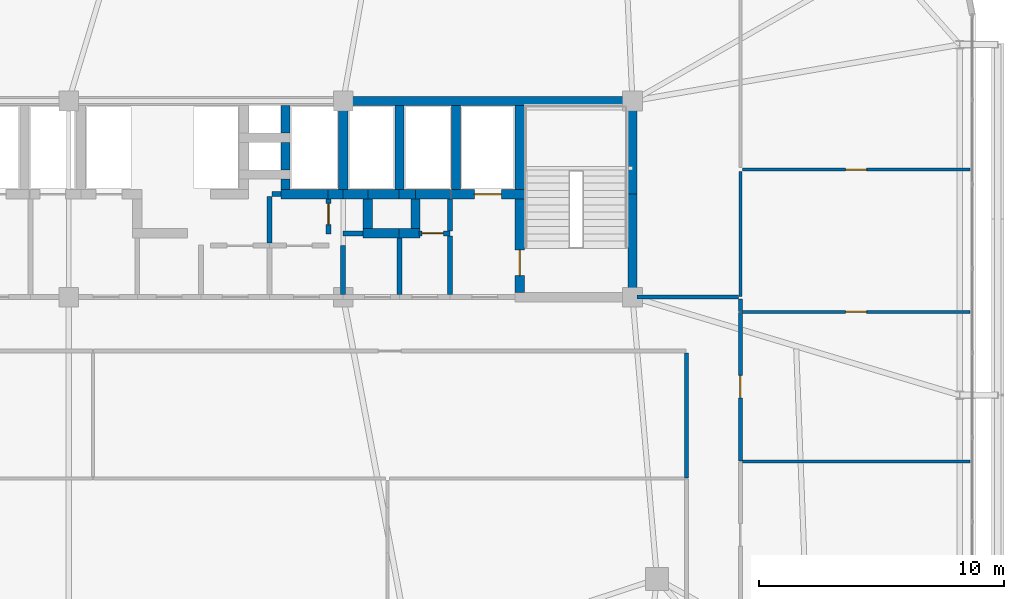
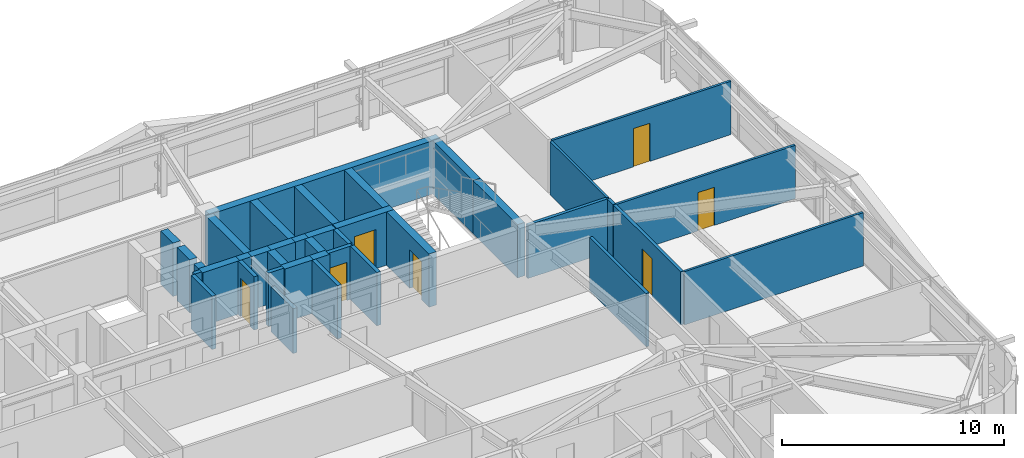
# One storey, part 55 of 59: 39 walls, 7 doors, 7 openings.
"""IFC4 building model written with IfcOpenShell, lengths in metres."""

from ifc_helpers import new_model, si_unit, direction, frame, frame_2d, origin, place, context, subcontext, project, spatial, rectangle, extrude, source, transform, mapped, material, layer, layer_set, type_object, element, fill, save


model = new_model("IFC4")

# Units and contexts
model_context = context("Model", 3, precision=1e-05, world=origin(), true_north=direction((0.0, 1.0)))
body_context = subcontext(model_context, "Body", "Model", "MODEL_VIEW")
ifc_project = project(units=[si_unit("LENGTHUNIT", "METRE"), si_unit("AREAUNIT", "SQUARE_METRE"), si_unit("VOLUMEUNIT", "CUBIC_METRE"), si_unit("PLANEANGLEUNIT", "RADIAN"), si_unit("MASSUNIT", "GRAM", prefix="KILO")], contexts=[model_context])

# Site, building, storey
site_placement = place(None, origin())
site = spatial("IfcSite", under=ifc_project, at=site_placement, CompositionType="ELEMENT")
building_placement = place(site_placement, origin())
building = spatial("IfcBuilding", under=site, at=building_placement, Name="Taldren Reach Tower", CompositionType="ELEMENT")
storey_placement = place(building_placement, frame((0.0, 0.0, 29.39990234375)))
storey = spatial("IfcBuildingStorey", under=building, at=storey_placement, Name="L08", CompositionType="ELEMENT", Elevation=29.39990234375)

# Walls
ifc_material_1 = material(Name="Concrete S80 (80 MPa)", Category="concrete")
ifc_layer_1 = layer(ifc_material_1, 0.3798828125)
ifc_layer_set_1 = layer_set([ifc_layer_1], Name="Concrete S80 (80 MPa)")
wall_type_1 = type_object("IfcWallType", Name="IW-CORE-380", PredefinedType="SHEAR", material=ifc_layer_set_1)
shared_shape_1 = source(origin(), body_context, "Body", "SweptSolid", [
    extrude(rectangle(XDim=11.989990234375, YDim=0.3798828125, at=frame_2d((5.9951171875, 0.0))), origin(), (0.0, 0.0, 1.0), 2.93017578125),
])
wall_1_placement = place(storey_placement, frame((39.199951171875, 32.0, 0.0), z_axis=(0.0, 0.0, 1.0), x_axis=(1.0, 0.0, 0.0)))
element("IfcWall", 1, at=wall_1_placement, inside=storey, type_object=wall_type_1, Name="Rear Core Shear Wall W-CORE-L08-NORTH3", PredefinedType="SHEAR", context=body_context, shape_type="MappedRepresentation", body=[
    mapped(shared_shape_1, transform((0.0, 0.0, 0.0), scale=1.0)),
])
shared_shape_2 = source(origin(), body_context, "Body", "SweptSolid", [
    extrude(rectangle(XDim=4.010009765625, YDim=0.3798828125, at=frame_2d((2.0048828125, 0.0))), origin(), (0.0, 0.0, 1.0), 2.93017578125),
])
wall_2_placement = place(storey_placement, frame((51.0, 24.18994140625, 0.0), z_axis=(0.0, 0.0, 1.0), x_axis=(0.0, 1.0, 0.0)))
element("IfcWall", 2, at=wall_2_placement, inside=storey, type_object=wall_type_1, Name="Rear Core Shear Wall W-CORE-L08-EAST1", PredefinedType="SHEAR", context=body_context, shape_type="MappedRepresentation", body=[
    mapped(shared_shape_2, transform((0.0, 0.0, 0.0), scale=1.0)),
])
shared_shape_3 = source(origin(), body_context, "Body", "SweptSolid", [
    extrude(rectangle(XDim=3.610107421875, YDim=0.3798828125, at=frame_2d((1.80517578125, 0.0))), origin(), (0.0, 0.0, 1.0), 2.93017578125),
])
wall_3_placement = place(storey_placement, frame((51.0, 28.199951171875, 0.0), z_axis=(0.0, 0.0, 1.0), x_axis=(0.0, 1.0, 0.0)))
element("IfcWall", 3, at=wall_3_placement, inside=storey, type_object=wall_type_1, Name="Rear Core Shear Wall W-CORE-L08-EAST2", PredefinedType="SHEAR", context=body_context, shape_type="MappedRepresentation", body=[
    mapped(shared_shape_3, transform((0.0, 0.0, 0.0), scale=1.0)),
])
shared_shape_4 = source(origin(), body_context, "Body", "SweptSolid", [
    extrude(rectangle(XDim=3.420166015625, YDim=0.3798828125, at=frame_2d((1.7099609375, 0.0))), origin(), (0.0, 0.0, 1.0), 2.93017578125),
])
for number, where, z_axis, x_axis, name in (
    (4, (46.39990234375, 31.81005859375, 0.0), (0.0, 0.0, 1.0), (0.0, -1.0, 0.0), "Rear Core Shear Wall W-INT-L08-008"),
    (5, (43.800048828125, 31.81005859375, 0.0), (0.0, 0.0, 1.0), (0.0, -1.0, 0.0), "Rear Core Shear Wall W-INT-L08-012"),
    (6, (39.199951171875, 28.389892578125, 0.0), (0.0, 0.0, 1.0), (0.0, 1.0, 0.0), "Rear Core Shear Wall W-INT-L08-037"),
    (7, (41.5, 28.389892578125, 0.0), (0.0, 0.0, 1.0), (0.0, 1.0, 0.0), "Rear Core Shear Wall W-INT-L08-041"),
):
    element("IfcWall", number, at=place(storey_placement, frame(where, z_axis=z_axis, x_axis=x_axis)), inside=storey, type_object=wall_type_1, Name=name, PredefinedType="SHEAR", context=body_context, shape_type="MappedRepresentation", body=[
        mapped(shared_shape_4, transform((0.0, 0.0, 0.0), scale=1.0)),
    ])

# Wall, opening, door
shared_shape_5 = source(origin(), body_context, "Body", "SweptSolid", [
    extrude(rectangle(XDim=3.820068359375, YDim=0.3798828125, at=frame_2d((1.91015625, 0.0))), origin(), (0.0, 0.0, 1.0), 2.93017578125),
])
wall_4_placement = place(storey_placement, frame((46.39990234375, 28.010009765625, 0.0), z_axis=(0.0, 0.0, 1.0), x_axis=(0.0, -1.0, 0.0)))
wall_4 = element("IfcWall", 8, at=wall_4_placement, inside=storey, type_object=wall_type_1, Name="Rear Core Shear Wall W-INT-L08-009", PredefinedType="SHEAR", context=body_context, shape_type="MappedRepresentation", body=[
    mapped(shared_shape_5, transform((0.0, 0.0, 0.0), scale=1.0)),
])
shared_shape_6 = source(origin(), body_context, "Body", "SweptSolid", [
    extrude(rectangle(XDim=1.050048828125, YDim=2.10009765625, at=frame_2d((0.52490234375, 1.050048828125))), frame((0.0, 0.199951171875, 0.0), z_axis=(0.0, -1.0, 0.0), x_axis=(1.0, 0.0, 0.0)), (0.0, 0.0, 1.0), 0.39990234375),
])
opening_1_placement = place(wall_4_placement, frame((2.0849609375, 0.0, 0.0)))
opening_1 = element("IfcOpeningElement", 9, at=opening_1_placement, cuts=wall_4, Name="Opening DF-105", PredefinedType="OPENING", context=body_context, shape_type="MappedRepresentation", body=[
    mapped(shared_shape_6, transform((0.0, 0.0, 0.0), scale=1.0)),
])
ifc_material_2 = material(Name="Fire-Rated Care and Stair Exit Door")
door_type_1 = type_object("IfcDoorType", Name="ID-FIRE-105", OperationType="NOTDEFINED", PredefinedType="DOOR", material=ifc_material_2)
shared_shape_7 = source(origin(), body_context, "Body", "SweptSolid", [
    extrude(rectangle(XDim=1.050048828125, YDim=2.10009765625, at=frame_2d((0.52490234375, 1.050048828125))), frame((0.0, 0.02490234375, 0.0), z_axis=(0.0, -1.0, 0.0), x_axis=(1.0, 0.0, 0.0)), (0.0, 0.0, 1.0), 0.050048828125),
])
door_1_placement = place(opening_1_placement, origin())
door_1 = element("IfcDoor", 10, at=door_1_placement, inside=storey, type_object=door_type_1, Name="Fire Exit Stair Door DR-L08-003", OperationType="SINGLE_SWING_RIGHT", OverallHeight=2.10009765625, OverallWidth=1.050048828125, PredefinedType="DOOR", context=body_context, shape_type="MappedRepresentation", body=[
    mapped(shared_shape_7, transform((0.0, 0.0, 0.0), scale=1.0)),
])
fill(opening_1, door_1)

shared_shape_8 = source(origin(), body_context, "Body", "SweptSolid", [
    extrude(rectangle(XDim=2.97998046875, YDim=0.3798828125, at=frame_2d((1.489990234375, 0.0))), origin(), (0.0, 0.0, 1.0), 2.93017578125),
])
wall_5_placement = place(storey_placement, frame((43.610107421875, 28.199951171875, 0.0), z_axis=(0.0, 0.0, 1.0), x_axis=(1.0, 0.0, 0.0)))
wall_5 = element("IfcWall", 11, at=wall_5_placement, inside=storey, type_object=wall_type_1, Name="Rear Core Shear Wall W-INT-L08-011", PredefinedType="SHEAR", context=body_context, shape_type="MappedRepresentation", body=[
    mapped(shared_shape_8, transform((0.0, 0.0, 0.0), scale=1.0)),
])
shared_shape_9 = source(origin(), body_context, "Body", "SweptSolid", [
    extrude(rectangle(XDim=1.10009765625, YDim=2.14990234375, at=frame_2d((0.550048828125, 1.074951171875))), frame((0.0, 0.199951171875, 0.0), z_axis=(0.0, -1.0, 0.0), x_axis=(1.0, 0.0, 0.0)), (0.0, 0.0, 1.0), 0.39990234375),
])
opening_2_placement = place(wall_5_placement, frame((0.93994140625, 0.0, 0.0)))
opening_2 = element("IfcOpeningElement", 12, at=opening_2_placement, cuts=wall_5, Name="Opening LD-FL2", PredefinedType="OPENING", context=body_context, shape_type="MappedRepresentation", body=[
    mapped(shared_shape_9, transform((0.0, 0.0, 0.0), scale=1.0)),
])
ifc_material_3 = material(Name="Stainless Steel Gr 316 Emergency Lift Landing Door", Category="steel")
door_type_2 = type_object("IfcDoorType", Name="LD-EMG-110", OperationType="SLIDING_TO_LEFT", PredefinedType="DOOR", material=ifc_material_3)
shared_shape_10 = source(origin(), body_context, "Body", "SweptSolid", [
    extrude(rectangle(XDim=1.10009765625, YDim=2.14990234375, at=frame_2d((0.550048828125, 1.074951171875))), frame((0.0, 0.02490234375, 0.0), z_axis=(0.0, -1.0, 0.0), x_axis=(1.0, 0.0, 0.0)), (0.0, 0.0, 1.0), 0.050048828125),
])
door_2_placement = place(opening_2_placement, origin())
door_2 = element("IfcDoor", 13, at=door_2_placement, inside=storey, type_object=door_type_2, Name="Lift Landing Door LD-FL2-L08", OperationType="SLIDING_TO_LEFT", OverallHeight=2.14990234375, OverallWidth=1.10009765625, PredefinedType="DOOR", context=body_context, shape_type="MappedRepresentation", body=[
    mapped(shared_shape_10, transform((0.0, 0.0, 0.0), scale=1.0)),
])
fill(opening_2, door_2)

# Walls
ifc_material_4 = material(Name="Concrete S50 (50 MPa)", Category="concrete")
ifc_layer_2 = layer(ifc_material_4, 0.199951171875)
ifc_layer_set_2 = layer_set([ifc_layer_2], Name="Concrete S50 (50 MPa)")
wall_type_2 = type_object("IfcWallType", Name="IW-CORE-200", PredefinedType="SOLIDWALL", material=ifc_layer_set_2)
shared_shape_11 = source(origin(), body_context, "Body", "SweptSolid", [
    extrude(rectangle(XDim=2.39990234375, YDim=0.199951171875, at=frame_2d((1.199951171875, 0.0))), origin(), (0.0, 0.0, 1.0), 2.93017578125),
])
wall_6_placement = place(storey_placement, frame((43.550048828125, 26.5, 0.0), z_axis=(0.0, 0.0, 1.0), x_axis=(0.0, -1.0, 0.0)))
element("IfcWall", 14, at=wall_6_placement, inside=storey, type_object=wall_type_2, Name="Rear Core Shear Wall W-INT-L08-013", PredefinedType="SOLIDWALL", context=body_context, shape_type="MappedRepresentation", body=[
    mapped(shared_shape_11, transform((0.0, 0.0, 0.0), scale=1.0)),
])
shared_shape_12 = source(origin(), body_context, "Body", "SweptSolid", [
    extrude(rectangle(XDim=1.31005859375, YDim=0.199951171875, at=frame_2d((0.655029296875, 0.0))), origin(), (0.0, 0.0, 1.0), 2.93017578125),
])
wall_7_placement = place(storey_placement, frame((43.550048828125, 28.010009765625, 0.0), z_axis=(0.0, 0.0, 1.0), x_axis=(0.0, -1.0, 0.0)))
element("IfcWall", 15, at=wall_7_placement, inside=storey, type_object=wall_type_2, Name="Rear Core Shear Wall W-INT-L08-014", PredefinedType="SOLIDWALL", context=body_context, shape_type="MappedRepresentation", body=[
    mapped(shared_shape_12, transform((0.0, 0.0, 0.0), scale=1.0)),
])
shared_shape_13 = source(origin(), body_context, "Body", "SweptSolid", [
    extrude(rectangle(XDim=1.1201171875, YDim=0.3798828125, at=frame_2d((0.56005859375, 0.0))), origin(), (0.0, 0.0, 1.0), 2.93017578125),
])
for number, where, z_axis, x_axis, name in (
    (16, (36.85009765625, 30.68994140625, 0.0), (0.0, 0.0, 1.0), (0.0, 1.0, 0.0), "Rear Core Shear Wall W-INT-L08-018"),
    (17, (36.85009765625, 29.18994140625, 0.0), (0.0, 0.0, 1.0), (0.0, 1.0, 0.0), "Rear Core Shear Wall W-INT-L08-020"),
):
    element("IfcWall", number, at=place(storey_placement, frame(where, z_axis=z_axis, x_axis=x_axis)), inside=storey, type_object=wall_type_1, Name=name, PredefinedType="SHEAR", context=body_context, shape_type="MappedRepresentation", body=[
        mapped(shared_shape_13, transform((0.0, 0.0, 0.0), scale=1.0)),
    ])
shared_shape_14 = source(origin(), body_context, "Body", "SweptSolid", [
    extrude(rectangle(XDim=1.219970703125, YDim=0.3798828125, at=frame_2d((0.60986328125, 0.0))), origin(), (0.0, 0.0, 1.0), 2.93017578125),
])
for number, where, z_axis, x_axis, name in (
    (18, (40.199951171875, 28.010009765625, 0.0), (0.0, 0.0, 1.0), (0.0, -1.0, 0.0), "Rear Core Shear Wall W-INT-L08-027"),
    (19, (42.14990234375, 26.7900390625, 0.0), (0.0, 0.0, 1.0), (0.0, 1.0, 0.0), "Rear Core Shear Wall W-INT-L08-029"),
):
    element("IfcWall", number, at=place(storey_placement, frame(where, z_axis=z_axis, x_axis=x_axis)), inside=storey, type_object=wall_type_1, Name=name, PredefinedType="SHEAR", context=body_context, shape_type="MappedRepresentation", body=[
        mapped(shared_shape_14, transform((0.0, 0.0, 0.0), scale=1.0)),
    ])
shared_shape_15 = source(origin(), body_context, "Body", "SweptSolid", [
    extrude(rectangle(XDim=1.320068359375, YDim=0.3798828125, at=frame_2d((0.66015625, 0.0))), origin(), (0.0, 0.0, 1.0), 2.93017578125),
])
wall_8_placement = place(storey_placement, frame((41.52001953125, 28.199951171875, 0.0), z_axis=(0.0, 0.0, 1.0), x_axis=(-1.0, 0.0, 0.0)))
element("IfcWall", 20, at=wall_8_placement, inside=storey, type_object=wall_type_1, Name="Rear Core Shear Wall W-INT-L08-024", PredefinedType="SHEAR", context=body_context, shape_type="MappedRepresentation", body=[
    mapped(shared_shape_15, transform((0.0, 0.0, 0.0), scale=1.0)),
])
shared_shape_16 = source(origin(), body_context, "Body", "SweptSolid", [
    extrude(rectangle(XDim=0.669921875, YDim=0.3798828125, at=frame_2d((0.3349609375, 0.0))), origin(), (0.0, 0.0, 1.0), 2.93017578125),
])
wall_9_placement = place(storey_placement, frame((42.14990234375, 28.199951171875, 0.0), z_axis=(0.0, 0.0, 1.0), x_axis=(-1.0, 0.0, 0.0)))
element("IfcWall", 21, at=wall_9_placement, inside=storey, type_object=wall_type_1, Name="Rear Core Shear Wall W-INT-L08-025", PredefinedType="SHEAR", context=body_context, shape_type="MappedRepresentation", body=[
    mapped(shared_shape_16, transform((0.0, 0.0, 0.0), scale=1.0)),
])
shared_shape_17 = source(origin(), body_context, "Body", "SweptSolid", [
    extrude(rectangle(XDim=1.510009765625, YDim=0.3798828125, at=frame_2d((0.7548828125, 0.0))), origin(), (0.0, 0.0, 1.0), 2.93017578125),
])
wall_10_placement = place(storey_placement, frame((40.010009765625, 26.60009765625, 0.0), z_axis=(0.0, 0.0, 1.0), x_axis=(1.0, 0.0, 0.0)))
element("IfcWall", 22, at=wall_10_placement, inside=storey, type_object=wall_type_1, Name="Rear Core Shear Wall W-INT-L08-026", PredefinedType="SHEAR", context=body_context, shape_type="MappedRepresentation", body=[
    mapped(shared_shape_17, transform((0.0, 0.0, 0.0), scale=1.0)),
])
shared_shape_18 = source(origin(), body_context, "Body", "SweptSolid", [
    extrude(rectangle(XDim=0.860107421875, YDim=0.3798828125, at=frame_2d((0.43017578125, 0.0))), origin(), (0.0, 0.0, 1.0), 2.93017578125),
])
wall_11_placement = place(storey_placement, frame((41.47998046875, 26.60009765625, 0.0), z_axis=(0.0, 0.0, 1.0), x_axis=(1.0, 0.0, 0.0)))
element("IfcWall", 23, at=wall_11_placement, inside=storey, type_object=wall_type_1, Name="Rear Core Shear Wall W-INT-L08-028", PredefinedType="SHEAR", context=body_context, shape_type="MappedRepresentation", body=[
    mapped(shared_shape_18, transform((0.0, 0.0, 0.0), scale=1.0)),
])
shared_shape_19 = source(origin(), body_context, "Body", "SweptSolid", [
    extrude(rectangle(XDim=2.309814453125, YDim=0.199951171875, at=frame_2d((1.15478515625, 0.0))), origin(), (0.0, 0.0, 1.0), 2.93017578125),
])
wall_12_placement = place(storey_placement, frame((41.5, 26.409912109375, 0.0), z_axis=(0.0, 0.0, 1.0), x_axis=(0.0, -1.0, 0.0)))
element("IfcWall", 24, at=wall_12_placement, inside=storey, type_object=wall_type_2, Name="Rear Core Shear Wall W-INT-L08-056", PredefinedType="SOLIDWALL", context=body_context, shape_type="MappedRepresentation", body=[
    mapped(shared_shape_19, transform((0.0, 0.0, 0.0), scale=1.0)),
])
shared_shape_20 = source(origin(), body_context, "Body", "SweptSolid", [
    extrude(rectangle(XDim=0.420166015625, YDim=0.3798828125, at=frame_2d((0.2099609375, 0.0))), origin(), (0.0, 0.0, 1.0), 2.93017578125),
])
wall_13_placement = place(storey_placement, frame((36.85009765625, 28.81005859375, 0.0), z_axis=(0.0, 0.0, 1.0), x_axis=(0.0, -1.0, 0.0)))
element("IfcWall", 25, at=wall_13_placement, inside=storey, type_object=wall_type_1, Name="Rear Core Shear Wall W-INT-L08-038", PredefinedType="SHEAR", context=body_context, shape_type="MappedRepresentation", body=[
    mapped(shared_shape_20, transform((0.0, 0.0, 0.0), scale=1.0)),
])
shared_shape_21 = source(origin(), body_context, "Body", "SweptSolid", [
    extrude(rectangle(XDim=1.960205078125, YDim=0.3798828125, at=frame_2d((0.97998046875, 0.0))), origin(), (0.0, 0.0, 1.0), 2.93017578125),
])
wall_14_placement = place(storey_placement, frame((36.659912109375, 28.199951171875, 0.0), z_axis=(0.0, 0.0, 1.0), x_axis=(1.0, 0.0, 0.0)))
element("IfcWall", 26, at=wall_14_placement, inside=storey, type_object=wall_type_1, Name="Rear Core Shear Wall W-INT-L08-039", PredefinedType="SHEAR", context=body_context, shape_type="MappedRepresentation", body=[
    mapped(shared_shape_21, transform((0.0, 0.0, 0.0), scale=1.0)),
])
shared_shape_22 = source(origin(), body_context, "Body", "SweptSolid", [
    extrude(rectangle(XDim=0.619873046875, YDim=0.3798828125, at=frame_2d((0.31005859375, 0.0))), origin(), (0.0, 0.0, 1.0), 2.93017578125),
])
wall_15_placement = place(storey_placement, frame((38.580078125, 28.199951171875, 0.0), z_axis=(0.0, 0.0, 1.0), x_axis=(1.0, 0.0, 0.0)))
element("IfcWall", 27, at=wall_15_placement, inside=storey, type_object=wall_type_1, Name="Rear Core Shear Wall W-INT-L08-040", PredefinedType="SHEAR", context=body_context, shape_type="MappedRepresentation", body=[
    mapped(shared_shape_22, transform((0.0, 0.0, 0.0), scale=1.0)),
])
shared_shape_23 = source(origin(), body_context, "Body", "SweptSolid", [
    extrude(rectangle(XDim=1.02001953125, YDim=0.3798828125, at=frame_2d((0.510009765625, 0.0))), origin(), (0.0, 0.0, 1.0), 2.93017578125),
])
wall_16_placement = place(storey_placement, frame((39.199951171875, 28.199951171875, 0.0), z_axis=(0.0, 0.0, 1.0), x_axis=(1.0, 0.0, 0.0)))
element("IfcWall", 28, at=wall_16_placement, inside=storey, type_object=wall_type_1, Name="Rear Core Shear Wall W-INT-L08-042", PredefinedType="SHEAR", context=body_context, shape_type="MappedRepresentation", body=[
    mapped(shared_shape_23, transform((0.0, 0.0, 0.0), scale=1.0)),
])
shared_shape_24 = source(origin(), body_context, "Body", "SweptSolid", [
    extrude(rectangle(XDim=1.440185546875, YDim=0.3798828125, at=frame_2d((0.72021484375, 0.0))), origin(), (0.0, 0.0, 1.0), 2.93017578125),
])
wall_17_placement = place(storey_placement, frame((42.1298828125, 28.199951171875, 0.0), z_axis=(0.0, 0.0, 1.0), x_axis=(1.0, 0.0, 0.0)))
element("IfcWall", 29, at=wall_17_placement, inside=storey, type_object=wall_type_1, Name="Rear Core Shear Wall W-INT-L08-043", PredefinedType="SHEAR", context=body_context, shape_type="MappedRepresentation", body=[
    mapped(shared_shape_24, transform((0.0, 0.0, 0.0), scale=1.0)),
])
shared_shape_25 = source(origin(), body_context, "Body", "SweptSolid", [
    extrude(rectangle(XDim=1.900146484375, YDim=0.199951171875, at=frame_2d((0.9501953125, 0.0))), origin(), (0.0, 0.0, 1.0), 2.93017578125),
])
wall_18_placement = place(storey_placement, frame((36.199951171875, 28.10009765625, 0.0), z_axis=(0.0, 0.0, 1.0), x_axis=(0.0, -1.0, 0.0)))
element("IfcWall", 30, at=wall_18_placement, inside=storey, type_object=wall_type_2, Name="Rear Core Shear Wall W-INT-L08-049", PredefinedType="SOLIDWALL", context=body_context, shape_type="MappedRepresentation", body=[
    mapped(shared_shape_25, transform((0.0, 0.0, 0.0), scale=1.0)),
])
shared_shape_26 = source(origin(), body_context, "Body", "SweptSolid", [
    extrude(rectangle(XDim=0.35986328125, YDim=0.199951171875, at=frame_2d((0.179931640625, 0.0))), origin(), (0.0, 0.0, 1.0), 2.93017578125),
])
wall_19_placement = place(storey_placement, frame((36.659912109375, 28.199951171875, 0.0), z_axis=(0.0, 0.0, 1.0), x_axis=(-1.0, 0.0, 0.0)))
element("IfcWall", 31, at=wall_19_placement, inside=storey, type_object=wall_type_2, Name="Rear Core Shear Wall W-INT-L08-050", PredefinedType="SOLIDWALL", context=body_context, shape_type="MappedRepresentation", body=[
    mapped(shared_shape_26, transform((0.0, 0.0, 0.0), scale=1.0)),
])
shared_shape_27 = source(origin(), body_context, "Body", "SweptSolid", [
    extrude(rectangle(XDim=2.0, YDim=0.199951171875, at=frame_2d((1.0, 0.0))), origin(), (0.0, 0.0, 1.0), 2.47021484375),
])
wall_20_placement = place(storey_placement, frame((39.199951171875, 26.10009765625, 0.0), z_axis=(0.0, 0.0, 1.0), x_axis=(0.0, -1.0, 0.0)))
element("IfcWall", 32, at=wall_20_placement, inside=storey, type_object=wall_type_2, Name="Rear Core Shear Wall W-INT-L08-052", PredefinedType="SOLIDWALL", context=body_context, shape_type="MappedRepresentation", body=[
    mapped(shared_shape_27, transform((0.0, 0.0, 0.0), scale=1.0)),
])

# Wall, opening, door
shared_shape_28 = source(origin(), body_context, "Body", "SweptSolid", [
    extrude(rectangle(XDim=1.429931640625, YDim=0.199951171875, at=frame_2d((0.71484375, 0.0))), origin(), (0.0, 0.0, 1.0), 2.93017578125),
])
wall_21_placement = place(storey_placement, frame((38.60009765625, 28.010009765625, 0.0), z_axis=(0.0, 0.0, 1.0), x_axis=(0.0, -1.0, 0.0)))
wall_21 = element("IfcWall", 33, at=wall_21_placement, inside=storey, type_object=wall_type_2, Name="Rear Core Shear Wall W-INT-L08-054", PredefinedType="SOLIDWALL", context=body_context, shape_type="MappedRepresentation", body=[
    mapped(shared_shape_28, transform((0.0, 0.0, 0.0), scale=1.0)),
])
shared_shape_29 = source(origin(), body_context, "Body", "SweptSolid", [
    extrude(rectangle(XDim=0.860107421875, YDim=2.10009765625, at=frame_2d((0.43017578125, 1.050048828125))), frame((0.0, 0.10986328125, 0.0), z_axis=(0.0, -1.0, 0.0), x_axis=(1.0, 0.0, 0.0)), (0.0, 0.0, 1.0), 0.219970703125),
])
opening_3_placement = place(wall_21_placement, frame((0.18994140625, 0.0, 0.0)))
opening_3 = element("IfcOpeningElement", 34, at=opening_3_placement, cuts=wall_21, Name="Opening DI-086", PredefinedType="OPENING", context=body_context, shape_type="MappedRepresentation", body=[
    mapped(shared_shape_29, transform((0.0, 0.0, 0.0), scale=1.0)),
])
ifc_material_5 = material(Name="Timber Bathroom Door", Category="wood")
door_type_3 = type_object("IfcDoorType", Name="ID-INT-086", OperationType="NOTDEFINED", PredefinedType="DOOR", material=ifc_material_5)
shared_shape_30 = source(origin(), body_context, "Body", "SweptSolid", [
    extrude(rectangle(XDim=0.860107421875, YDim=2.10009765625, at=frame_2d((0.43017578125, 1.050048828125))), frame((0.0, 0.02490234375, 0.0), z_axis=(0.0, -1.0, 0.0), x_axis=(1.0, 0.0, 0.0)), (0.0, 0.0, 1.0), 0.050048828125),
])
door_3_placement = place(opening_3_placement, origin())
door_3 = element("IfcDoor", 35, at=door_3_placement, inside=storey, type_object=door_type_3, Name="Interior Door DR-L08-034", OperationType="SINGLE_SWING_LEFT", OverallHeight=2.10009765625, OverallWidth=0.860107421875, PredefinedType="DOOR", context=body_context, shape_type="MappedRepresentation", body=[
    mapped(shared_shape_30, transform((0.0, 0.0, 0.0), scale=1.0)),
])
fill(opening_3, door_3)

# Wall
shared_shape_31 = source(origin(), body_context, "Body", "SweptSolid", [
    extrude(rectangle(XDim=0.81005859375, YDim=0.199951171875, at=frame_2d((0.405029296875, 0.0))), origin(), (0.0, 0.0, 1.0), 2.93017578125),
])
wall_22_placement = place(storey_placement, frame((39.199951171875, 26.60009765625, 0.0), z_axis=(0.0, 0.0, 1.0), x_axis=(1.0, 0.0, 0.0)))
element("IfcWall", 36, at=wall_22_placement, inside=storey, type_object=wall_type_2, Name="Rear Core Shear Wall W-INT-L08-055", PredefinedType="SOLIDWALL", context=body_context, shape_type="MappedRepresentation", body=[
    mapped(shared_shape_31, transform((0.0, 0.0, 0.0), scale=1.0)),
])

# Wall, opening, door
shared_shape_32 = source(origin(), body_context, "Body", "SweptSolid", [
    extrude(rectangle(XDim=1.25, YDim=0.199951171875, at=frame_2d((0.625, 0.0))), origin(), (0.0, 0.0, 1.0), 2.93017578125),
])
wall_23_placement = place(storey_placement, frame((42.300048828125, 26.60009765625, 0.0), z_axis=(0.0, 0.0, 1.0), x_axis=(1.0, 0.0, 0.0)))
wall_23 = element("IfcWall", 37, at=wall_23_placement, inside=storey, type_object=wall_type_2, Name="Rear Core Shear Wall W-INT-L08-058", PredefinedType="SOLIDWALL", context=body_context, shape_type="MappedRepresentation", body=[
    mapped(shared_shape_32, transform((0.0, 0.0, 0.0), scale=1.0)),
])
shared_shape_33 = source(origin(), body_context, "Body", "SweptSolid", [
    extrude(rectangle(XDim=0.8798828125, YDim=2.10009765625, at=frame_2d((0.43994140625, 1.050048828125))), frame((0.0, 0.10986328125, 0.0), z_axis=(0.0, -1.0, 0.0), x_axis=(1.0, 0.0, 0.0)), (0.0, 0.0, 1.0), 0.219970703125),
])
opening_4_placement = place(wall_23_placement, frame((0.110107421875, 0.0, 0.0)))
opening_4 = element("IfcOpeningElement", 38, at=opening_4_placement, cuts=wall_23, Name="Opening DF-088", PredefinedType="OPENING", context=body_context, shape_type="MappedRepresentation", body=[
    mapped(shared_shape_33, transform((0.0, 0.0, 0.0), scale=1.0)),
])
ifc_material_6 = material(Name="Fire-Rated Service Closet Door")
door_type_4 = type_object("IfcDoorType", Name="ID-FIRE-088", OperationType="NOTDEFINED", PredefinedType="DOOR", material=ifc_material_6)
shared_shape_34 = source(origin(), body_context, "Body", "SweptSolid", [
    extrude(rectangle(XDim=0.8798828125, YDim=2.10009765625, at=frame_2d((0.43994140625, 1.050048828125))), frame((0.0, 0.02490234375, 0.0), z_axis=(0.0, -1.0, 0.0), x_axis=(1.0, 0.0, 0.0)), (0.0, 0.0, 1.0), 0.050048828125),
])
door_4_placement = place(opening_4_placement, origin())
door_4 = element("IfcDoor", 39, at=door_4_placement, inside=storey, type_object=door_type_4, Name="Interior Door DR-L08-012", OperationType="SINGLE_SWING_LEFT", OverallHeight=2.10009765625, OverallWidth=0.8798828125, PredefinedType="DOOR", context=body_context, shape_type="MappedRepresentation", body=[
    mapped(shared_shape_34, transform((0.0, 0.0, 0.0), scale=1.0)),
])
fill(opening_4, door_4)

# Wall
ifc_material_7 = material(Name="Fire-Rated Acoustic Plasterboard Stud Wall", Category="gypsum")
ifc_layer_3 = layer(ifc_material_7, 0.159912109375)
ifc_layer_set_3 = layer_set([ifc_layer_3], Name="Fire-Rated Acoustic Plasterboard Stud Wall")
wall_type_3 = type_object("IfcWallType", Name="IW-FIRE-160", PredefinedType="PARTITIONING", material=ifc_layer_set_3)
shared_shape_35 = source(origin(), body_context, "Body", "SweptSolid", [
    extrude(rectangle(XDim=5.099853515625, YDim=0.159912109375, at=frame_2d((2.5498046875, 0.0))), origin(), (0.0, 0.0, 1.0), 2.93017578125),
])
wall_24_placement = place(storey_placement, frame((53.199951171875, 16.6201171875, 0.0), z_axis=(0.0, 0.0, 1.0), x_axis=(0.0, 1.0, 0.0)))
element("IfcWall", 40, at=wall_24_placement, inside=storey, type_object=wall_type_3, Name="Interior Partition Wall W-INT-L08-065", PredefinedType="PARTITIONING", context=body_context, shape_type="MappedRepresentation", body=[
    mapped(shared_shape_35, transform((0.0, 0.0, 0.0), scale=1.0)),
])

# Wall, opening, door
shared_shape_36 = source(origin(), body_context, "Body", "SweptSolid", [
    extrude(rectangle(XDim=6.0595703125, YDim=0.159912109375, at=frame_2d((3.02978515625, 0.0))), origin(), (0.0, 0.0, 1.0), 2.93017578125),
])
wall_25_placement = place(storey_placement, frame((55.39990234375, 23.3798828125, 0.0), z_axis=(0.0, 0.0, 1.0), x_axis=(0.0, -1.0, 0.0)))
wall_25 = element("IfcWall", 41, at=wall_25_placement, inside=storey, type_object=wall_type_3, Name="Interior Partition Wall W-INT-L08-073", PredefinedType="PARTITIONING", context=body_context, shape_type="MappedRepresentation", body=[
    mapped(shared_shape_36, transform((0.0, 0.0, 0.0), scale=1.0)),
])
shared_shape_37 = source(origin(), body_context, "Body", "SweptSolid", [
    extrude(rectangle(XDim=0.919921875, YDim=2.10009765625, at=frame_2d((0.4599609375, 1.050048828125))), frame((0.0, 0.08984375, 0.0), z_axis=(0.0, -1.0, 0.0), x_axis=(1.0, 0.0, 0.0)), (0.0, 0.0, 1.0), 0.179931640625),
])
opening_5_placement = place(wall_25_placement, frame((2.56982421875, 0.0, 0.0)))
opening_5 = element("IfcOpeningElement", 42, at=opening_5_placement, cuts=wall_25, Name="Opening DI-092", PredefinedType="OPENING", context=body_context, shape_type="MappedRepresentation", body=[
    mapped(shared_shape_37, transform((0.0, 0.0, 0.0), scale=1.0)),
])
ifc_material_8 = material(Name="Solid-Core Timber Suite Door", Category="wood")
door_type_5 = type_object("IfcDoorType", Name="ID-INT-092", OperationType="NOTDEFINED", PredefinedType="DOOR", material=ifc_material_8)
shared_shape_38 = source(origin(), body_context, "Body", "SweptSolid", [
    extrude(rectangle(XDim=0.919921875, YDim=2.10009765625, at=frame_2d((0.4599609375, 1.050048828125))), frame((0.0, 0.02490234375, 0.0), z_axis=(0.0, -1.0, 0.0), x_axis=(1.0, 0.0, 0.0)), (0.0, 0.0, 1.0), 0.050048828125),
])
door_5_placement = place(opening_5_placement, origin())
door_5 = element("IfcDoor", 43, at=door_5_placement, inside=storey, type_object=door_type_5, Name="Interior Door DR-L08-023", OperationType="SINGLE_SWING_RIGHT", OverallHeight=2.10009765625, OverallWidth=0.919921875, PredefinedType="DOOR", context=body_context, shape_type="MappedRepresentation", body=[
    mapped(shared_shape_38, transform((0.0, 0.0, 0.0), scale=1.0)),
])
fill(opening_5, door_5)

# Walls
shared_shape_39 = source(origin(), body_context, "Body", "SweptSolid", [
    extrude(rectangle(XDim=0.499755859375, YDim=0.159912109375, at=frame_2d((0.25, 0.0))), origin(), (0.0, 0.0, 1.0), 2.93017578125),
])
wall_26_placement = place(storey_placement, frame((55.39990234375, 23.919921875, 0.0), z_axis=(0.0, 0.0, 1.0), x_axis=(0.0, -1.0, 0.0)))
element("IfcWall", 44, at=wall_26_placement, inside=storey, type_object=wall_type_3, Name="Interior Partition Wall W-INT-L08-074", PredefinedType="PARTITIONING", context=body_context, shape_type="MappedRepresentation", body=[
    mapped(shared_shape_39, transform((0.0, 0.0, 0.0), scale=1.0)),
])
shared_shape_40 = source(origin(), body_context, "Body", "SweptSolid", [
    extrude(rectangle(XDim=4.130126953125, YDim=0.159912109375, at=frame_2d((2.06494140625, 0.0))), origin(), (0.0, 0.0, 1.0), 2.93017578125),
])
wall_27_placement = place(storey_placement, frame((51.18994140625, 24.0, 0.0), z_axis=(0.0, 0.0, 1.0), x_axis=(1.0, 0.0, 0.0)))
element("IfcWall", 45, at=wall_27_placement, inside=storey, type_object=wall_type_3, Name="Interior Partition Wall W-INT-L08-076", PredefinedType="PARTITIONING", context=body_context, shape_type="MappedRepresentation", body=[
    mapped(shared_shape_40, transform((0.0, 0.0, 0.0), scale=1.0)),
])
ifc_material_9 = material(Name="Insulated Residential Stud Partition", Category="gypsum")
ifc_layer_4 = layer(ifc_material_9, 0.1201171875)
ifc_layer_set_4 = layer_set([ifc_layer_4], Name="Insulated Residential Stud Partition")
wall_type_4 = type_object("IfcWallType", Name="IW-PART-120", PredefinedType="PARTITIONING", material=ifc_layer_set_4)
shared_shape_41 = source(origin(), body_context, "Body", "SweptSolid", [
    extrude(rectangle(XDim=9.2900390625, YDim=0.1201171875, at=frame_2d((4.64501953125, 0.0))), origin(), (0.0, 0.0, 1.0), 2.93017578125),
])
wall_28_placement = place(storey_placement, frame((55.47998046875, 17.300048828125, 0.0), z_axis=(0.0, 0.0, 1.0), x_axis=(1.0, 0.0, 0.0)))
element("IfcWall", 46, at=wall_28_placement, inside=storey, type_object=wall_type_4, Name="Interior Partition Wall W-INT-L08-118", PredefinedType="PARTITIONING", context=body_context, shape_type="MappedRepresentation", body=[
    mapped(shared_shape_41, transform((0.0, 0.0, 0.0), scale=1.0)),
])

# Wall, opening, door
wall_29_placement = place(storey_placement, frame((55.47998046875, 23.39990234375, 0.0), z_axis=(0.0, 0.0, 1.0), x_axis=(1.0, 0.0, 0.0)))
wall_29 = element("IfcWall", 47, at=wall_29_placement, inside=storey, type_object=wall_type_4, Name="Interior Partition Wall W-INT-L08-119", PredefinedType="PARTITIONING", context=body_context, shape_type="MappedRepresentation", body=[
    mapped(shared_shape_41, transform((0.0, 0.0, 0.0), scale=1.0)),
])
shared_shape_42 = source(origin(), body_context, "Body", "SweptSolid", [
    extrude(rectangle(XDim=0.860107421875, YDim=2.10009765625, at=frame_2d((0.43017578125, 1.050048828125))), frame((0.0, 0.070068359375, 0.0), z_axis=(0.0, -1.0, 0.0), x_axis=(1.0, 0.0, 0.0)), (0.0, 0.0, 1.0), 0.14013671875),
])
opening_6_placement = place(wall_29_placement, frame((4.215087890625, 0.0, 0.0)))
opening_6 = element("IfcOpeningElement", 48, at=opening_6_placement, cuts=wall_29, Name="Opening DI-086", PredefinedType="OPENING", context=body_context, shape_type="MappedRepresentation", body=[
    mapped(shared_shape_42, transform((0.0, 0.0, 0.0), scale=1.0)),
])
door_6_placement = place(opening_6_placement, origin())
door_6 = element("IfcDoor", 49, at=door_6_placement, inside=storey, type_object=door_type_3, Name="Interior Door DR-L08-036", OperationType="SINGLE_SWING_LEFT", OverallHeight=2.10009765625, OverallWidth=0.860107421875, PredefinedType="DOOR", context=body_context, shape_type="MappedRepresentation", body=[
    mapped(shared_shape_30, transform((0.0, 0.0, 0.0), scale=1.0)),
])
fill(opening_6, door_6)

wall_30_placement = place(storey_placement, frame((55.47998046875, 29.199951171875, 0.0), z_axis=(0.0, 0.0, 1.0), x_axis=(1.0, 0.0, 0.0)))
wall_30 = element("IfcWall", 50, at=wall_30_placement, inside=storey, type_object=wall_type_4, Name="Interior Partition Wall W-INT-L08-120", PredefinedType="PARTITIONING", context=body_context, shape_type="MappedRepresentation", body=[
    mapped(shared_shape_41, transform((0.0, 0.0, 0.0), scale=1.0)),
])
opening_7_placement = place(wall_30_placement, frame((4.215087890625, 0.0, 0.0)))
opening_7 = element("IfcOpeningElement", 51, at=opening_7_placement, cuts=wall_30, Name="Opening DI-086", PredefinedType="OPENING", context=body_context, shape_type="MappedRepresentation", body=[
    mapped(shared_shape_42, transform((0.0, 0.0, 0.0), scale=1.0)),
])
door_7_placement = place(opening_7_placement, frame((0.860107421875, 0.0, 0.0), z_axis=(0.0, 0.0, 1.0), x_axis=(-1.0, 0.0, 0.0)))
door_7 = element("IfcDoor", 52, at=door_7_placement, inside=storey, type_object=door_type_3, Name="Interior Door DR-L08-037", OperationType="SINGLE_SWING_LEFT", OverallHeight=2.10009765625, OverallWidth=0.860107421875, PredefinedType="DOOR", context=body_context, shape_type="MappedRepresentation", body=[
    mapped(shared_shape_30, transform((0.0, 0.0, 0.0), scale=1.0)),
])
fill(opening_7, door_7)

# Wall
shared_shape_43 = source(origin(), body_context, "Body", "SweptSolid", [
    extrude(rectangle(XDim=5.099853515625, YDim=0.1201171875, at=frame_2d((2.5498046875, 0.0))), origin(), (0.0, 0.0, 1.0), 2.93017578125),
])
wall_31_placement = place(storey_placement, frame((55.39990234375, 24.020263671875, 0.0), z_axis=(0.0, 0.0, 1.0), x_axis=(0.0, 1.0, 0.0)))
element("IfcWall", 53, at=wall_31_placement, inside=storey, type_object=wall_type_4, Name="Interior Partition Wall W-INT-L08-121", PredefinedType="PARTITIONING", context=body_context, shape_type="MappedRepresentation", body=[
    mapped(shared_shape_43, transform((0.0, 0.0, 0.0), scale=1.0)),
])

save(model, "model.ifc")
